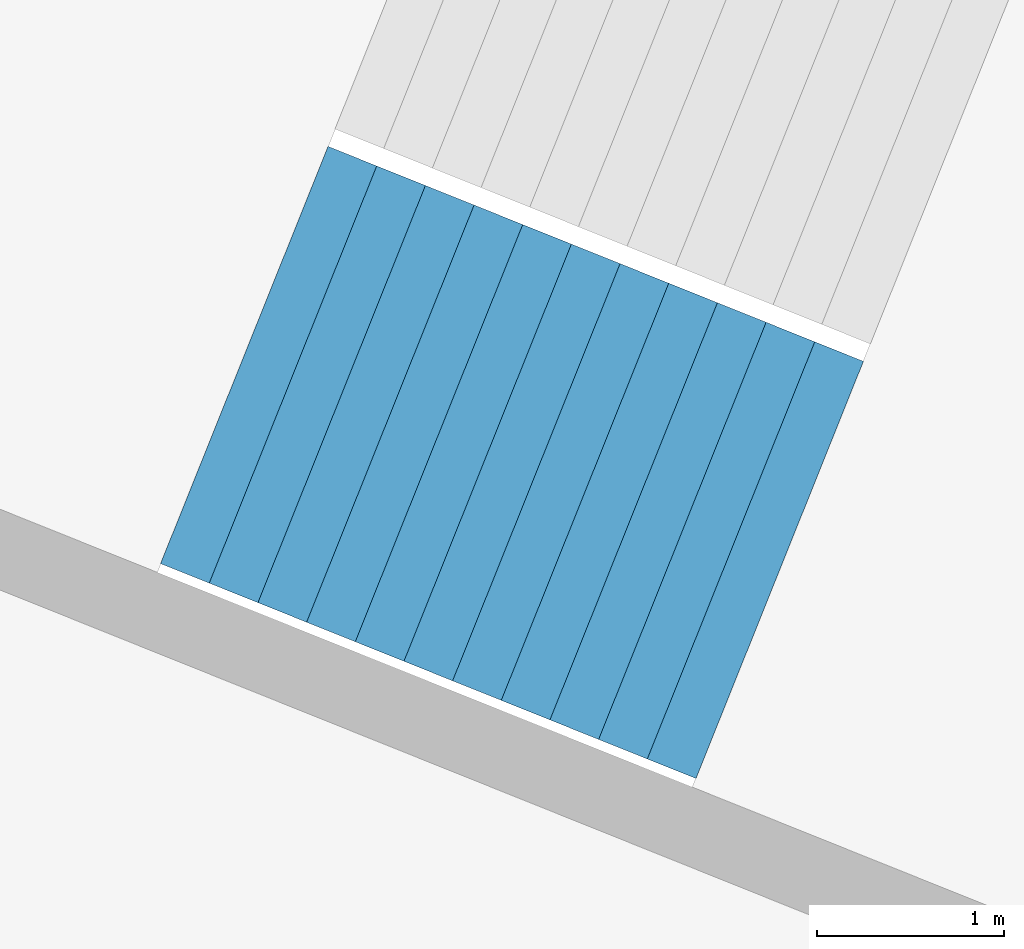
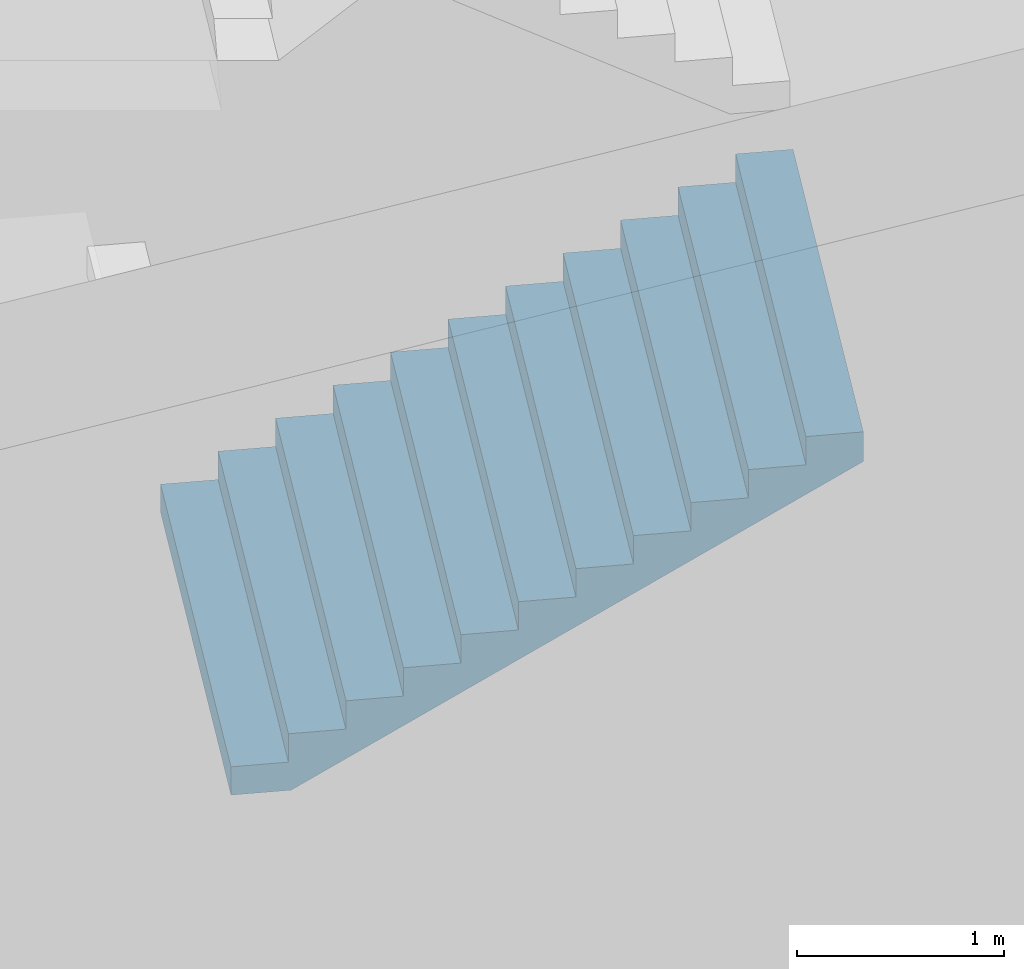
# One storey, part 34 of 74: 1 stair flight, 1 element without a shape of its own.
"""IFC4 building model written with IfcOpenShell, lengths in metres."""

from ifc_helpers import new_model, si_unit, direction, frame, origin, place, context, subcontext, project, spatial, triangles, material, type_object, element, aggregate, save


model = new_model("IFC4")

# Units and contexts
model_context = context("Model", 3, precision=1e-05, world=origin(), true_north=direction((0.0, 1.0)))
body_context = subcontext(model_context, "Body", "Model", "MODEL_VIEW")
ifc_project = project(units=[si_unit("LENGTHUNIT", "METRE"), si_unit("AREAUNIT", "SQUARE_METRE"), si_unit("VOLUMEUNIT", "CUBIC_METRE"), si_unit("PLANEANGLEUNIT", "RADIAN"), si_unit("MASSUNIT", "GRAM", prefix="KILO")], contexts=[model_context])

# Site, building, storey
site_placement = place(None, origin())
site = spatial("IfcSite", under=ifc_project, at=site_placement, CompositionType="ELEMENT")
building_placement = place(site_placement, origin())
building = spatial("IfcBuilding", under=site, at=building_placement, Name="Lantaw Convention Tower", CompositionType="ELEMENT")
storey_placement = place(building_placement, frame((0.0, 0.0, 6.5)))
storey = spatial("IfcBuildingStorey", under=building, at=storey_placement, Name="L01", CompositionType="ELEMENT", Elevation=6.5)

# Stair, stair flight
ifc_material = material(Name="Concrete C35/45", Category="concrete")
stair_type = type_object("IfcStairType", Name="Exit stair 2400 riser 166.67 in 4 flights", PredefinedType="HALF_TURN_STAIR", material=ifc_material)
stair_placement = place(storey_placement, origin())
stair = element("IfcStair", 1, at=stair_placement, inside=storey, type_object=stair_type, Name="Podium exit stair P8 L01", PredefinedType="HALF_TURN_STAIR")
stair_flight_type = type_object("IfcStairFlightType", Name="Stair flight 2400 riser 166.67", PredefinedType="STRAIGHT", material=ifc_material)
stair_flight_placement = place(storey_placement, frame((-39.589111328125, 14.545654296875, 2.0), z_axis=(0.0, 0.0, 1.0), x_axis=(0.928015168305, -0.372542410198, 0.0)))
stair_flight = element("IfcStairFlight", 2, at=stair_flight_placement, type_object=stair_flight_type, Name="P8 flight 2", NumberOfRisers=12, NumberOfTreads=11, PredefinedType="STRAIGHT", RiserHeight=0.166666667, TreadLength=0.28, context=body_context, shape_type="Tessellation", body=[
    triangles([(0.0, 1.199951171875, 0.0), (0.0, 1.199951171875, 0.166666667), (0.28, 1.199951171875, 0.0), (0.28, 1.199951171875, 0.166666667), (0.28, 1.199951171875, 0.333333334), (0.29307345806906726, 1.199951171875, 0.0), (0.29307345806906726, 1.199951171875, 0.333333334), (0.56, 1.199951171875, 0.15888484670522965), (0.56, 1.199951171875, 0.333333334), (0.56, 1.199951171875, 0.500000001), (0.8400000000000001, 1.199951171875, 0.3255515137052296), (0.8400000000000001, 1.199951171875, 0.500000001), (0.8400000000000001, 1.199951171875, 0.666666668), (1.12, 1.199951171875, 0.4922181807052296), (1.12, 1.199951171875, 0.666666668), (1.12, 1.199951171875, 0.833333335), (1.4000000000000001, 1.199951171875, 0.6588848477052296), (1.4000000000000001, 1.199951171875, 0.833333335), (1.4000000000000001, 1.199951171875, 1.000000002), (1.6800000000000002, 1.199951171875, 0.8255515147052296), (1.6800000000000002, 1.199951171875, 1.000000002), (1.6800000000000002, 1.199951171875, 1.166666669), (1.9600000000000002, 1.199951171875, 0.9922181817052296), (1.9600000000000002, 1.199951171875, 1.166666669), (1.9600000000000002, 1.199951171875, 1.333333336), (2.24, 1.199951171875, 1.1588848487052295), (2.24, 1.199951171875, 1.333333336), (2.24, 1.199951171875, 1.5000000029999998), (2.5200000000000005, 1.199951171875, 1.3255515157052296), (2.5200000000000005, 1.199951171875, 1.5000000029999998), (2.5200000000000005, 1.199951171875, 1.66666667), (2.8000000000000003, 1.199951171875, 1.4922181827052294), (2.8000000000000003, 1.199951171875, 1.66666667), (2.8000000000000003, 1.199951171875, 1.833333337), (3.08, 1.199951171875, 1.6588848497052293), (3.08, 1.199951171875, 1.833333337), (0.0, -1.199951171875, 0.0), (0.0, -1.199951171875, 0.166666667), (0.28, -1.199951171875, 0.0), (0.28, -1.199951171875, 0.166666667), (0.28, -1.199951171875, 0.333333334), (0.29307345806906726, -1.199951171875, 0.0), (0.29307345806906726, -1.199951171875, 0.333333334), (0.56, -1.199951171875, 0.15888484670522965), (0.56, -1.199951171875, 0.333333334), (0.56, -1.199951171875, 0.500000001), (0.8400000000000001, -1.199951171875, 0.3255515137052296), (0.8400000000000001, -1.199951171875, 0.500000001), (0.8400000000000001, -1.199951171875, 0.666666668), (1.12, -1.199951171875, 0.4922181807052296), (1.12, -1.199951171875, 0.666666668), (1.12, -1.199951171875, 0.833333335), (1.4000000000000001, -1.199951171875, 0.6588848477052296), (1.4000000000000001, -1.199951171875, 0.833333335), (1.4000000000000001, -1.199951171875, 1.000000002), (1.6800000000000002, -1.199951171875, 0.8255515147052296), (1.6800000000000002, -1.199951171875, 1.000000002), (1.6800000000000002, -1.199951171875, 1.166666669), (1.9600000000000002, -1.199951171875, 0.9922181817052296), (1.9600000000000002, -1.199951171875, 1.166666669), (1.9600000000000002, -1.199951171875, 1.333333336), (2.24, -1.199951171875, 1.1588848487052295), (2.24, -1.199951171875, 1.333333336), (2.24, -1.199951171875, 1.5000000029999998), (2.5200000000000005, -1.199951171875, 1.3255515157052296), (2.5200000000000005, -1.199951171875, 1.5000000029999998), (2.5200000000000005, -1.199951171875, 1.66666667), (2.8000000000000003, -1.199951171875, 1.4922181827052294), (2.8000000000000003, -1.199951171875, 1.66666667), (2.8000000000000003, -1.199951171875, 1.833333337), (3.08, -1.199951171875, 1.6588848497052293), (3.08, -1.199951171875, 1.833333337), (0.0, 0.239990234375, 0.166666667), (0.0, 0.239990234375, 0.0), (0.0, 0.1199951171875, 0.166666667), (0.0, 0.1199951171875, 0.0), (0.0, 0.0, 0.166666667), (0.0, 0.0, 0.0), (0.0, -0.1199951171875, 0.166666667), (0.0, -0.1199951171875, 0.0), (0.0, -0.239990234375, 0.166666667), (0.0, -0.239990234375, 0.0), (0.28, 0.239990234375, 0.333333334), (0.28, 0.239990234375, 0.166666667), (0.28, 0.1199951171875, 0.333333334), (0.28, 0.1199951171875, 0.166666667), (0.28, 0.0, 0.333333334), (0.28, 0.0, 0.166666667), (0.28, -0.1199951171875, 0.333333334), (0.28, -0.1199951171875, 0.166666667), (0.28, -0.239990234375, 0.333333334), (0.28, -0.239990234375, 0.166666667), (0.56, 0.239990234375, 0.500000001), (0.56, 0.239990234375, 0.333333334), (0.56, 0.1199951171875, 0.500000001), (0.56, 0.1199951171875, 0.333333334), (0.56, 0.0, 0.500000001), (0.56, 0.0, 0.333333334), (0.56, -0.1199951171875, 0.500000001), (0.56, -0.1199951171875, 0.333333334), (0.56, -0.239990234375, 0.500000001), (0.56, -0.239990234375, 0.333333334), (0.8400000000000001, 0.239990234375, 0.666666668), (0.8400000000000001, 0.239990234375, 0.500000001), (0.8400000000000001, 0.1199951171875, 0.666666668), (0.8400000000000001, 0.1199951171875, 0.500000001), (0.8400000000000001, 0.0, 0.666666668), (0.8400000000000001, 0.0, 0.500000001), (0.8400000000000001, -0.1199951171875, 0.666666668), (0.8400000000000001, -0.1199951171875, 0.500000001), (0.8400000000000001, -0.239990234375, 0.666666668), (0.8400000000000001, -0.239990234375, 0.500000001), (1.12, 0.239990234375, 0.833333335), (1.12, 0.239990234375, 0.666666668), (1.12, 0.1199951171875, 0.833333335), (1.12, 0.1199951171875, 0.666666668), (1.12, 0.0, 0.833333335), (1.12, 0.0, 0.666666668), (1.12, -0.1199951171875, 0.833333335), (1.12, -0.1199951171875, 0.666666668), (1.12, -0.239990234375, 0.833333335), (1.12, -0.239990234375, 0.666666668), (1.4000000000000001, 0.239990234375, 1.000000002), (1.4000000000000001, 0.239990234375, 0.833333335), (1.4000000000000001, 0.1199951171875, 1.000000002), (1.4000000000000001, 0.1199951171875, 0.833333335), (1.4000000000000001, 0.0, 1.000000002), (1.4000000000000001, 0.0, 0.833333335), (1.4000000000000001, -0.1199951171875, 1.000000002), (1.4000000000000001, -0.1199951171875, 0.833333335), (1.4000000000000001, -0.239990234375, 1.000000002), (1.4000000000000001, -0.239990234375, 0.833333335), (1.6800000000000002, 0.239990234375, 1.166666669), (1.6800000000000002, 0.239990234375, 1.000000002), (1.6800000000000002, 0.1199951171875, 1.166666669), (1.6800000000000002, 0.1199951171875, 1.000000002), (1.6800000000000002, 0.0, 1.166666669), (1.6800000000000002, 0.0, 1.000000002), (1.6800000000000002, -0.1199951171875, 1.166666669), (1.6800000000000002, -0.1199951171875, 1.000000002), (1.6800000000000002, -0.239990234375, 1.166666669), (1.6800000000000002, -0.239990234375, 1.000000002), (1.9600000000000002, 0.239990234375, 1.333333336), (1.9600000000000002, 0.239990234375, 1.166666669), (1.9600000000000002, 0.1199951171875, 1.333333336), (1.9600000000000002, 0.1199951171875, 1.166666669), (1.9600000000000002, 0.0, 1.333333336), (1.9600000000000002, 0.0, 1.166666669), (1.9600000000000002, -0.1199951171875, 1.333333336), (1.9600000000000002, -0.1199951171875, 1.166666669), (1.9600000000000002, -0.239990234375, 1.333333336), (1.9600000000000002, -0.239990234375, 1.166666669), (2.24, 0.239990234375, 1.5000000029999998), (2.24, 0.239990234375, 1.333333336), (2.24, 0.1199951171875, 1.5000000029999998), (2.24, 0.1199951171875, 1.333333336), (2.24, 0.0, 1.5000000029999998), (2.24, 0.0, 1.333333336), (2.24, -0.1199951171875, 1.5000000029999998), (2.24, -0.1199951171875, 1.333333336), (2.24, -0.239990234375, 1.5000000029999998), (2.24, -0.239990234375, 1.333333336), (2.5200000000000005, 0.239990234375, 1.66666667), (2.5200000000000005, 0.239990234375, 1.5000000029999998), (2.5200000000000005, 0.1199951171875, 1.66666667), (2.5200000000000005, 0.1199951171875, 1.5000000029999998), (2.5200000000000005, 0.0, 1.66666667), (2.5200000000000005, 0.0, 1.5000000029999998), (2.5200000000000005, -0.1199951171875, 1.66666667), (2.5200000000000005, -0.1199951171875, 1.5000000029999998), (2.5200000000000005, -0.239990234375, 1.66666667), (2.5200000000000005, -0.239990234375, 1.5000000029999998), (2.8000000000000003, 0.239990234375, 1.833333337), (2.8000000000000003, 0.239990234375, 1.66666667), (2.8000000000000003, 0.1199951171875, 1.833333337), (2.8000000000000003, 0.1199951171875, 1.66666667), (2.8000000000000003, 0.0, 1.833333337), (2.8000000000000003, 0.0, 1.66666667), (2.8000000000000003, -0.1199951171875, 1.833333337), (2.8000000000000003, -0.1199951171875, 1.66666667), (2.8000000000000003, -0.239990234375, 1.833333337), (2.8000000000000003, -0.239990234375, 1.66666667), (0.29307345806906726, 0.239990234375, 0.333333334), (0.29307345806906726, 0.1199951171875, 0.333333334), (0.29307345806906726, 0.0, 0.333333334), (0.29307345806906726, -0.1199951171875, 0.333333334), (0.29307345806906726, -0.239990234375, 0.333333334), (3.08, 0.239990234375, 1.833333337), (3.08, 0.1199951171875, 1.833333337), (3.08, 0.0, 1.833333337), (3.08, -0.1199951171875, 1.833333337), (3.08, -0.239990234375, 1.833333337), (3.08, 0.239990234375, 1.6588848497052293), (3.08, 0.1199951171875, 1.6588848497052293), (3.08, 0.0, 1.6588848497052293), (3.08, -0.1199951171875, 1.6588848497052293), (3.08, -0.239990234375, 1.6588848497052293), (2.8000000000000003, 0.239990234375, 1.4922181827052294), (2.8000000000000003, 0.1199951171875, 1.4922181827052294), (2.8000000000000003, 0.0, 1.4922181827052294), (2.8000000000000003, -0.1199951171875, 1.4922181827052294), (2.8000000000000003, -0.239990234375, 1.4922181827052294), (2.5200000000000005, 0.239990234375, 1.3255515157052296), (2.5200000000000005, 0.1199951171875, 1.3255515157052296), (2.5200000000000005, 0.0, 1.3255515157052296), (2.5200000000000005, -0.1199951171875, 1.3255515157052296), (2.5200000000000005, -0.239990234375, 1.3255515157052296), (2.24, 0.239990234375, 1.1588848487052295), (2.24, 0.1199951171875, 1.1588848487052295), (2.24, 0.0, 1.1588848487052295), (2.24, -0.1199951171875, 1.1588848487052295), (2.24, -0.239990234375, 1.1588848487052295), (1.9600000000000002, 0.239990234375, 0.9922181817052296), (1.9600000000000002, 0.1199951171875, 0.9922181817052296), (1.9600000000000002, 0.0, 0.9922181817052296), (1.9600000000000002, -0.1199951171875, 0.9922181817052296), (1.9600000000000002, -0.239990234375, 0.9922181817052296), (1.6800000000000002, 0.239990234375, 0.8255515147052296), (1.6800000000000002, 0.1199951171875, 0.8255515147052296), (1.6800000000000002, 0.0, 0.8255515147052296), (1.6800000000000002, -0.1199951171875, 0.8255515147052296), (1.6800000000000002, -0.239990234375, 0.8255515147052296), (1.4000000000000001, 0.239990234375, 0.6588848477052296), (1.4000000000000001, 0.1199951171875, 0.6588848477052296), (1.4000000000000001, 0.0, 0.6588848477052296), (1.4000000000000001, -0.1199951171875, 0.6588848477052296), (1.4000000000000001, -0.239990234375, 0.6588848477052296), (1.12, 0.239990234375, 0.4922181807052296), (1.12, 0.1199951171875, 0.4922181807052296), (1.12, 0.0, 0.4922181807052296), (1.12, -0.1199951171875, 0.4922181807052296), (1.12, -0.239990234375, 0.4922181807052296), (0.8400000000000001, 0.239990234375, 0.3255515137052296), (0.8400000000000001, 0.1199951171875, 0.3255515137052296), (0.8400000000000001, 0.0, 0.3255515137052296), (0.8400000000000001, -0.1199951171875, 0.3255515137052296), (0.8400000000000001, -0.239990234375, 0.3255515137052296), (0.56, 0.239990234375, 0.15888484670522965), (0.56, 0.1199951171875, 0.15888484670522965), (0.56, 0.0, 0.15888484670522965), (0.56, -0.1199951171875, 0.15888484670522965), (0.56, -0.239990234375, 0.15888484670522965), (0.29307345806906726, 0.239990234375, 0.0), (0.29307345806906726, 0.1199951171875, 0.0), (0.29307345806906726, 0.0, 0.0), (0.29307345806906726, -0.1199951171875, 0.0), (0.29307345806906726, -0.239990234375, 0.0), (0.28, 0.239990234375, 0.0), (0.28, 0.1199951171875, 0.0), (0.28, 0.0, 0.0), (0.28, -0.1199951171875, 0.0), (0.28, -0.239990234375, 0.0)], [[1, 4, 3], [1, 2, 4], [3, 4, 6], [4, 7, 6], [4, 5, 7], [6, 9, 8], [6, 7, 9], [8, 9, 11], [9, 12, 11], [9, 10, 12], [11, 12, 14], [12, 15, 14], [12, 13, 15], [14, 15, 17], [15, 18, 17], [15, 16, 18], [17, 18, 20], [18, 21, 20], [18, 19, 21], [20, 21, 23], [21, 24, 23], [21, 22, 24], [23, 24, 26], [24, 27, 26], [24, 25, 27], [26, 27, 29], [27, 30, 29], [27, 28, 30], [29, 30, 32], [30, 33, 32], [30, 31, 33], [32, 33, 35], [33, 36, 35], [33, 34, 36], [37, 39, 40], [37, 40, 38], [39, 42, 40], [40, 42, 43], [40, 43, 41], [42, 44, 45], [42, 45, 43], [44, 47, 45], [45, 47, 48], [45, 48, 46], [47, 50, 48], [48, 50, 51], [48, 51, 49], [50, 53, 51], [51, 53, 54], [51, 54, 52], [53, 56, 54], [54, 56, 57], [54, 57, 55], [56, 59, 57], [57, 59, 60], [57, 60, 58], [59, 62, 60], [60, 62, 63], [60, 63, 61], [62, 65, 63], [63, 65, 66], [63, 66, 64], [65, 68, 66], [66, 68, 69], [66, 69, 67], [68, 71, 69], [69, 71, 72], [69, 72, 70], [1, 73, 2], [1, 74, 73], [74, 75, 73], [74, 76, 75], [76, 77, 75], [76, 78, 77], [78, 79, 77], [78, 80, 79], [80, 81, 79], [80, 82, 81], [82, 38, 81], [82, 37, 38], [4, 83, 5], [4, 84, 83], [84, 85, 83], [84, 86, 85], [86, 87, 85], [86, 88, 87], [88, 89, 87], [88, 90, 89], [90, 91, 89], [90, 92, 91], [92, 41, 91], [92, 40, 41], [9, 93, 10], [9, 94, 93], [94, 95, 93], [94, 96, 95], [96, 97, 95], [96, 98, 97], [98, 99, 97], [98, 100, 99], [100, 101, 99], [100, 102, 101], [102, 46, 101], [102, 45, 46], [12, 103, 13], [12, 104, 103], [104, 105, 103], [104, 106, 105], [106, 107, 105], [106, 108, 107], [108, 109, 107], [108, 110, 109], [110, 111, 109], [110, 112, 111], [112, 49, 111], [112, 48, 49], [15, 113, 16], [15, 114, 113], [114, 115, 113], [114, 116, 115], [116, 117, 115], [116, 118, 117], [118, 119, 117], [118, 120, 119], [120, 121, 119], [120, 122, 121], [122, 52, 121], [122, 51, 52], [18, 123, 19], [18, 124, 123], [124, 125, 123], [124, 126, 125], [126, 127, 125], [126, 128, 127], [128, 129, 127], [128, 130, 129], [130, 131, 129], [130, 132, 131], [132, 55, 131], [132, 54, 55], [21, 133, 22], [21, 134, 133], [134, 135, 133], [134, 136, 135], [136, 137, 135], [136, 138, 137], [138, 139, 137], [138, 140, 139], [140, 141, 139], [140, 142, 141], [142, 58, 141], [142, 57, 58], [24, 143, 25], [24, 144, 143], [144, 145, 143], [144, 146, 145], [146, 147, 145], [146, 148, 147], [148, 149, 147], [148, 150, 149], [150, 151, 149], [150, 152, 151], [152, 61, 151], [152, 60, 61], [27, 153, 28], [27, 154, 153], [154, 155, 153], [154, 156, 155], [156, 157, 155], [156, 158, 157], [158, 159, 157], [158, 160, 159], [160, 161, 159], [160, 162, 161], [162, 64, 161], [162, 63, 64], [30, 163, 31], [30, 164, 163], [164, 165, 163], [164, 166, 165], [166, 167, 165], [166, 168, 167], [168, 169, 167], [168, 170, 169], [170, 171, 169], [170, 172, 171], [172, 67, 171], [172, 66, 67], [33, 173, 34], [33, 174, 173], [174, 175, 173], [174, 176, 175], [176, 177, 175], [176, 178, 177], [178, 179, 177], [178, 180, 179], [180, 181, 179], [180, 182, 181], [182, 70, 181], [182, 69, 70], [2, 84, 4], [2, 73, 84], [73, 86, 84], [73, 75, 86], [75, 88, 86], [75, 77, 88], [77, 90, 88], [77, 79, 90], [79, 92, 90], [79, 81, 92], [81, 40, 92], [81, 38, 40], [5, 183, 7], [5, 83, 183], [83, 184, 183], [83, 85, 184], [85, 185, 184], [85, 87, 185], [87, 186, 185], [87, 89, 186], [89, 187, 186], [89, 91, 187], [91, 43, 187], [91, 41, 43], [7, 94, 9], [7, 183, 94], [183, 96, 94], [183, 184, 96], [184, 98, 96], [184, 185, 98], [185, 100, 98], [185, 186, 100], [186, 102, 100], [186, 187, 102], [187, 45, 102], [187, 43, 45], [10, 104, 12], [10, 93, 104], [93, 106, 104], [93, 95, 106], [95, 108, 106], [95, 97, 108], [97, 110, 108], [97, 99, 110], [99, 112, 110], [99, 101, 112], [101, 48, 112], [101, 46, 48], [13, 114, 15], [13, 103, 114], [103, 116, 114], [103, 105, 116], [105, 118, 116], [105, 107, 118], [107, 120, 118], [107, 109, 120], [109, 122, 120], [109, 111, 122], [111, 51, 122], [111, 49, 51], [16, 124, 18], [16, 113, 124], [113, 126, 124], [113, 115, 126], [115, 128, 126], [115, 117, 128], [117, 130, 128], [117, 119, 130], [119, 132, 130], [119, 121, 132], [121, 54, 132], [121, 52, 54], [19, 134, 21], [19, 123, 134], [123, 136, 134], [123, 125, 136], [125, 138, 136], [125, 127, 138], [127, 140, 138], [127, 129, 140], [129, 142, 140], [129, 131, 142], [131, 57, 142], [131, 55, 57], [22, 144, 24], [22, 133, 144], [133, 146, 144], [133, 135, 146], [135, 148, 146], [135, 137, 148], [137, 150, 148], [137, 139, 150], [139, 152, 150], [139, 141, 152], [141, 60, 152], [141, 58, 60], [25, 154, 27], [25, 143, 154], [143, 156, 154], [143, 145, 156], [145, 158, 156], [145, 147, 158], [147, 160, 158], [147, 149, 160], [149, 162, 160], [149, 151, 162], [151, 63, 162], [151, 61, 63], [28, 164, 30], [28, 153, 164], [153, 166, 164], [153, 155, 166], [155, 168, 166], [155, 157, 168], [157, 170, 168], [157, 159, 170], [159, 172, 170], [159, 161, 172], [161, 66, 172], [161, 64, 66], [31, 174, 33], [31, 163, 174], [163, 176, 174], [163, 165, 176], [165, 178, 176], [165, 167, 178], [167, 180, 178], [167, 169, 180], [169, 182, 180], [169, 171, 182], [171, 69, 182], [171, 67, 69], [34, 188, 36], [34, 173, 188], [173, 189, 188], [173, 175, 189], [175, 190, 189], [175, 177, 190], [177, 191, 190], [177, 179, 191], [179, 192, 191], [179, 181, 192], [181, 72, 192], [181, 70, 72], [36, 193, 35], [36, 188, 193], [188, 194, 193], [188, 189, 194], [189, 195, 194], [189, 190, 195], [190, 196, 195], [190, 191, 196], [191, 197, 196], [191, 192, 197], [192, 71, 197], [192, 72, 71], [35, 198, 32], [35, 193, 198], [193, 199, 198], [193, 194, 199], [194, 200, 199], [194, 195, 200], [195, 201, 200], [195, 196, 201], [196, 202, 201], [196, 197, 202], [197, 68, 202], [197, 71, 68], [32, 203, 29], [32, 198, 203], [198, 204, 203], [198, 199, 204], [199, 205, 204], [199, 200, 205], [200, 206, 205], [200, 201, 206], [201, 207, 206], [201, 202, 207], [202, 65, 207], [202, 68, 65], [29, 208, 26], [29, 203, 208], [203, 209, 208], [203, 204, 209], [204, 210, 209], [204, 205, 210], [205, 211, 210], [205, 206, 211], [206, 212, 211], [206, 207, 212], [207, 62, 212], [207, 65, 62], [26, 213, 23], [26, 208, 213], [208, 214, 213], [208, 209, 214], [209, 215, 214], [209, 210, 215], [210, 216, 215], [210, 211, 216], [211, 217, 216], [211, 212, 217], [212, 59, 217], [212, 62, 59], [23, 218, 20], [23, 213, 218], [213, 219, 218], [213, 214, 219], [214, 220, 219], [214, 215, 220], [215, 221, 220], [215, 216, 221], [216, 222, 221], [216, 217, 222], [217, 56, 222], [217, 59, 56], [20, 223, 17], [20, 218, 223], [218, 224, 223], [218, 219, 224], [219, 225, 224], [219, 220, 225], [220, 226, 225], [220, 221, 226], [221, 227, 226], [221, 222, 227], [222, 53, 227], [222, 56, 53], [17, 228, 14], [17, 223, 228], [223, 229, 228], [223, 224, 229], [224, 230, 229], [224, 225, 230], [225, 231, 230], [225, 226, 231], [226, 232, 231], [226, 227, 232], [227, 50, 232], [227, 53, 50], [14, 233, 11], [14, 228, 233], [228, 234, 233], [228, 229, 234], [229, 235, 234], [229, 230, 235], [230, 236, 235], [230, 231, 236], [231, 237, 236], [231, 232, 237], [232, 47, 237], [232, 50, 47], [11, 238, 8], [11, 233, 238], [233, 239, 238], [233, 234, 239], [234, 240, 239], [234, 235, 240], [235, 241, 240], [235, 236, 241], [236, 242, 241], [236, 237, 242], [237, 44, 242], [237, 47, 44], [8, 243, 6], [8, 238, 243], [238, 244, 243], [238, 239, 244], [239, 245, 244], [239, 240, 245], [240, 246, 245], [240, 241, 246], [241, 247, 246], [241, 242, 247], [242, 42, 247], [242, 44, 42], [6, 248, 3], [6, 243, 248], [243, 249, 248], [243, 244, 249], [244, 250, 249], [244, 245, 250], [245, 251, 250], [245, 246, 251], [246, 252, 251], [246, 247, 252], [247, 39, 252], [247, 42, 39], [3, 74, 1], [3, 248, 74], [248, 76, 74], [248, 249, 76], [249, 78, 76], [249, 250, 78], [250, 80, 78], [250, 251, 80], [251, 82, 80], [251, 252, 82], [252, 37, 82], [252, 39, 37]], closed=True),
])
aggregate(stair, [stair_flight])

save(model, "model.ifc")
